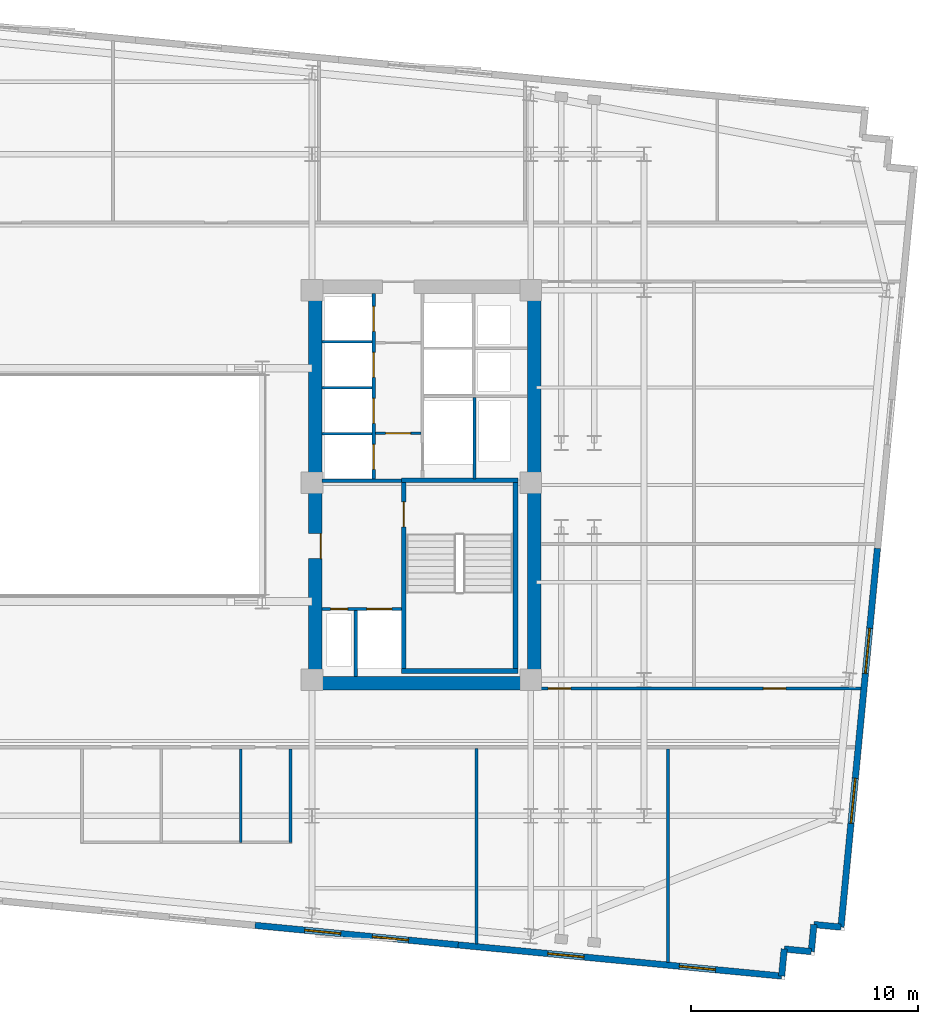
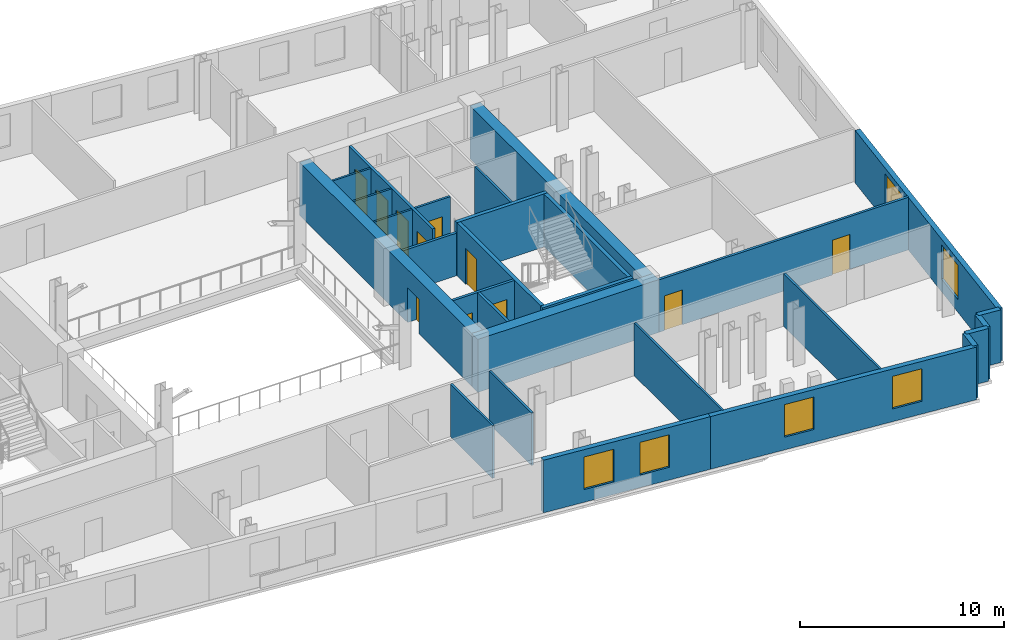
# One storey, part 5 of 9: 28 walls, 11 doors, 6 windows, 17 openings.
"""IFC4 building model written with IfcOpenShell, lengths in metres."""

from ifc_helpers import new_model, si_unit, direction, frame, frame_2d, origin, place, context, subcontext, project, spatial, rectangle, extrude, material, layer, layer_set, type_object, element, fill, save


model = new_model("IFC4")

# Units and contexts
model_context = context("Model", 3, precision=1e-05, world=origin(), true_north=direction((0.0, 1.0)))
body_context = subcontext(model_context, "Body", "Model", "MODEL_VIEW")
ifc_project = project(units=[si_unit("LENGTHUNIT", "METRE"), si_unit("AREAUNIT", "SQUARE_METRE"), si_unit("VOLUMEUNIT", "CUBIC_METRE"), si_unit("PLANEANGLEUNIT", "RADIAN"), si_unit("MASSUNIT", "GRAM", prefix="KILO")], contexts=[model_context])

# Site, building, storey
site_placement = place(None, origin())
site = spatial("IfcSite", under=ifc_project, at=site_placement, CompositionType="ELEMENT")
building_placement = place(site_placement, origin())
building = spatial("IfcBuilding", under=site, at=building_placement, Name="Velakula Bourse", CompositionType="ELEMENT")
storey_placement = place(building_placement, frame((0.0, 0.0, 191.449951171875)))
storey = spatial("IfcBuildingStorey", under=building, at=storey_placement, Name="L52", CompositionType="ELEMENT", Elevation=191.449951171875)

# Wall, opening, door
ifc_material_1 = material(Name="Concrete M50 (fck 50 MPa)", Category="concrete")
ifc_layer_1 = layer(ifc_material_1, 0.2099609375, Name="Concrete M50 (fck 50 MPa)", Category="concrete")
ifc_layer_set_1 = layer_set([ifc_layer_1], Name="Concrete M50 (fck 50 MPa)")
wall_type_1 = type_object("IfcWallType", Name="WL-CORE-210", PredefinedType="SHEAR", material=ifc_layer_set_1)
wall_1_placement = place(storey_placement, frame((12.9951171875, -8.10009765625, 0.0), z_axis=(0.0, 0.0, 1.0), x_axis=(0.0, 1.0, 0.0)))
wall_1 = element("IfcWall", 1, at=wall_1_placement, inside=storey, type_object=wall_type_1, Name="L52 Core E Stairwell Shear Wall IN", PredefinedType="SHEAR", context=body_context, shape_type="SweptSolid", body=[
    extrude(rectangle(XDim=8.2001953125, YDim=0.2099609375, at=frame_2d((4.10009765625, 0.0))), origin(), (0.0, 0.0, 1.0), 3.170166015625),
])
opening_1_placement = place(wall_1_placement, frame((6.25, 0.0, 0.0)))
opening_1 = element("IfcOpeningElement", 2, at=opening_1_placement, cuts=wall_1, Name="Opening D-STE1", PredefinedType="OPENING", context=body_context, shape_type="SweptSolid", body=[
    extrude(rectangle(XDim=1.10009765625, YDim=2.14990234375, at=frame_2d((0.550048828125, 1.074951171875))), frame((0.0, 0.114990234375, 0.0), z_axis=(0.0, -1.0, 0.0), x_axis=(1.0, 0.0, 0.0)), (0.0, 0.0, 1.0), 0.22998046875),
])
ifc_material_2 = material(Name="Galvanised painted hollow steel fire door", Category="steel")
door_type_1 = type_object("IfcDoorType", Name="DR-FD120-1100x2150", OperationType="NOTDEFINED", PredefinedType="DOOR", material=ifc_material_2)
door_1_placement = place(opening_1_placement, origin())
door_1 = element("IfcDoor", 3, at=door_1_placement, inside=storey, type_object=door_type_1, Name="L52 Stair ST-E1 Fire Door", OperationType="SINGLE_SWING_RIGHT", OverallHeight=2.14990234375, OverallWidth=1.10009765625, PredefinedType="DOOR", context=body_context, shape_type="SweptSolid", body=[
    extrude(rectangle(XDim=1.10009765625, YDim=2.14990234375, at=frame_2d((0.550048828125, 1.074951171875))), frame((0.0, 0.02490234375, 0.0), z_axis=(0.0, -1.0, 0.0), x_axis=(1.0, 0.0, 0.0)), (0.0, 0.0, 1.0), 0.050048828125),
])
fill(opening_1, door_1)

# Walls
wall_2_placement = place(storey_placement, frame((17.925048828125, -8.10009765625, 0.0), z_axis=(0.0, 0.0, 1.0), x_axis=(0.0, 1.0, 0.0)))
element("IfcWall", 4, at=wall_2_placement, inside=storey, type_object=wall_type_1, Name="L52 Core E Stairwell Shear Wall OUT", PredefinedType="SHEAR", context=body_context, shape_type="SweptSolid", body=[
    extrude(rectangle(XDim=8.2001953125, YDim=0.2099609375, at=frame_2d((4.10009765625, 0.0))), origin(), (0.0, 0.0, 1.0), 3.170166015625),
])
for number, where, z_axis, x_axis, name in (
    (5, (12.889892578125, -8.205078125, 0.0), (0.0, 0.0, 1.0), (1.0, 0.0, 0.0), "L52 Core E Stairwell Shear Wall S"),
    (6, (18.030029296875, 0.205078125, 0.0), (0.0, 0.0, 1.0), (-1.0, 0.0, 0.0), "L52 Core E Stairwell Shear Wall N"),
):
    element("IfcWall", number, at=place(storey_placement, frame(where, z_axis=z_axis, x_axis=x_axis)), inside=storey, type_object=wall_type_1, Name=name, PredefinedType="SHEAR", context=body_context, shape_type="SweptSolid", body=[
        extrude(rectangle(XDim=5.14013671875, YDim=0.2099609375, at=frame_2d((2.570068359375, 0.0))), origin(), (0.0, 0.0, 1.0), 3.170166015625),
    ])
ifc_material_3 = material(Name="Concrete M70 (fck 70 MPa)", Category="concrete")
ifc_layer_2 = layer(ifc_material_3, 0.60009765625, Name="Concrete M70 (fck 70 MPa)", Category="concrete")
ifc_layer_set_2 = layer_set([ifc_layer_2], Name="Concrete M70 (fck 70 MPa)")
wall_type_2 = type_object("IfcWallType", Name="WL-CORE-600", PredefinedType="SHEAR", material=ifc_layer_set_2)
wall_3_placement = place(storey_placement, frame((8.800048828125, -8.75, 0.0), z_axis=(0.0, 0.0, 1.0), x_axis=(1.0, 0.0, 0.0)))
element("IfcWall", 7, at=wall_3_placement, inside=storey, type_object=wall_type_2, Name="L52 Core E Shear Wall S", PredefinedType="SHEAR", context=body_context, shape_type="SweptSolid", body=[
    extrude(rectangle(XDim=10.25, YDim=0.60009765625, at=frame_2d((5.125, 0.0))), origin(), (0.0, 0.0, 1.0), 3.170166015625),
])

# Wall, opening, door
wall_4_placement = place(storey_placement, frame((9.10009765625, -8.449951171875, 0.0), z_axis=(0.0, 0.0, 1.0), x_axis=(0.0, 1.0, 0.0)))
wall_4 = element("IfcWall", 8, at=wall_4_placement, inside=storey, type_object=wall_type_2, Name="L52 Core E Shear Wall W", PredefinedType="SHEAR", context=body_context, shape_type="SweptSolid", body=[
    extrude(rectangle(XDim=16.89990234375, YDim=0.60009765625, at=frame_2d((8.449951171875, 0.0))), origin(), (0.0, 0.0, 1.0), 3.170166015625),
])
opening_2_placement = place(wall_4_placement, frame((5.199951171875, 0.0, 0.0)))
opening_2 = element("IfcOpeningElement", 9, at=opening_2_placement, cuts=wall_4, Name="Opening D-FLE", PredefinedType="OPENING", context=body_context, shape_type="SweptSolid", body=[
    extrude(rectangle(XDim=1.10009765625, YDim=2.080078125, at=frame_2d((0.550048828125, 1.0400390625))), frame((0.0, 0.31005859375, 0.0), z_axis=(0.0, -1.0, 0.0), x_axis=(1.0, 0.0, 0.0)), (0.0, 0.0, 1.0), 0.6201171875),
])
door_type_2 = type_object("IfcDoorType", Name="DR-FD120-1100", OperationType="NOTDEFINED", PredefinedType="DOOR", material=ifc_material_2)
door_2_placement = place(opening_2_placement, origin())
door_2 = element("IfcDoor", 10, at=door_2_placement, inside=storey, type_object=door_type_2, Name="L52 Firefighting Lobby E Corridor Fire Door", OperationType="SINGLE_SWING_RIGHT", OverallHeight=2.080078125, OverallWidth=1.10009765625, PredefinedType="DOOR", context=body_context, shape_type="SweptSolid", body=[
    extrude(rectangle(XDim=1.10009765625, YDim=2.080078125, at=frame_2d((0.550048828125, 1.0400390625))), frame((0.0, -0.205078125, 0.0), z_axis=(0.0, -1.0, 0.0), x_axis=(1.0, 0.0, 0.0)), (0.0, 0.0, 1.0), 0.050048828125),
])
fill(opening_2, door_2)

# Wall
wall_5_placement = place(storey_placement, frame((18.75, -8.449951171875, 0.0), z_axis=(0.0, 0.0, 1.0), x_axis=(0.0, 1.0, 0.0)))
element("IfcWall", 11, at=wall_5_placement, inside=storey, type_object=wall_type_2, Name="L52 Core E Shear Wall E", PredefinedType="SHEAR", context=body_context, shape_type="SweptSolid", body=[
    extrude(rectangle(XDim=16.89990234375, YDim=0.60009765625, at=frame_2d((8.449951171875, 0.0))), origin(), (0.0, 0.0, 1.0), 3.170166015625),
])

# Wall, openings, windows
ifc_material_4 = material(Name="Red kilned clay facing brick masonry", Category="masonry")
ifc_layer_3 = layer(ifc_material_4, 0.280029296875, Name="Red kilned clay facing brick masonry", Category="masonry")
ifc_layer_set_3 = layer_set([ifc_layer_3], Name="Red kilned clay facing brick masonry")
wall_type_3 = type_object("IfcWallType", Name="WL-EXT-BRK-280", PredefinedType="STANDARD", material=ifc_layer_set_3)
wall_6_placement = place(storey_placement, frame((15.398681640625, -20.295654296875, 0.0), z_axis=(0.0, 0.0, 1.0), x_axis=(-0.995394455533, 0.09586385082, 0.0)))
wall_6 = element("IfcWall", 12, at=wall_6_placement, inside=storey, type_object=wall_type_3, Name="L52 S Brick Spandrel Wall B4", PredefinedType="STANDARD", context=body_context, shape_type="SweptSolid", body=[
    extrude(rectangle(XDim=9.000244140625, YDim=0.280029296875, at=frame_2d((4.5, 0.0))), origin(), (0.0, 0.0, 1.0), 3.150146484375),
])
opening_3_placement = place(wall_6_placement, frame((2.199951171875, 0.0, 0.760009765625)))
opening_3 = element("IfcOpeningElement", 13, at=opening_3_placement, cuts=wall_6, Name="Opening W-02", PredefinedType="OPENING", context=body_context, shape_type="SweptSolid", body=[
    extrude(rectangle(XDim=1.60009765625, YDim=1.949951171875, at=frame_2d((0.800048828125, 0.97509765625))), frame((0.0, 0.14990234375, 0.0), z_axis=(0.0, -1.0, 0.0), x_axis=(1.0, 0.0, 0.0)), (0.0, 0.0, 1.0), 0.300048828125),
])
opening_4_placement = place(wall_6_placement, frame((5.199951171875, 0.0, 0.760009765625)))
opening_4 = element("IfcOpeningElement", 14, at=opening_4_placement, cuts=wall_6, Name="Opening W-02", PredefinedType="OPENING", context=body_context, shape_type="SweptSolid", body=[
    extrude(rectangle(XDim=1.60009765625, YDim=1.949951171875, at=frame_2d((0.800048828125, 0.97509765625))), frame((0.0, 0.14990234375, 0.0), z_axis=(0.0, -1.0, 0.0), x_axis=(1.0, 0.0, 0.0)), (0.0, 0.0, 1.0), 0.300048828125),
])
ifc_material_5 = material(Name="Double-glazed solar-control Low-E glass", Category="glass")
window_type_1 = type_object("IfcWindowType", Name="WIN-TWR-1600x2100", PartitioningType="SINGLE_PANEL", PredefinedType="WINDOW", material=ifc_material_5)
window_1_placement = place(opening_3_placement, origin())
window_1 = element("IfcWindow", 15, at=window_1_placement, inside=storey, type_object=window_type_1, Name="L52 Deep-Set Recessed Window 1", OverallHeight=1.949951171875, OverallWidth=1.60009765625, PartitioningType="SINGLE_PANEL", PredefinedType="WINDOW", context=body_context, shape_type="SweptSolid", body=[
    extrude(rectangle(XDim=1.60009765625, YDim=1.949951171875, at=frame_2d((0.800048828125, 0.97509765625))), frame((0.0, 0.030029296875, 0.0), z_axis=(0.0, -1.0, 0.0), x_axis=(1.0, 0.0, 0.0)), (0.0, 0.0, 1.0), 0.06005859375),
])
fill(opening_3, window_1)
window_2_placement = place(opening_4_placement, origin())
window_2 = element("IfcWindow", 16, at=window_2_placement, inside=storey, type_object=window_type_1, Name="L52 Deep-Set Recessed Window 2", OverallHeight=1.949951171875, OverallWidth=1.60009765625, PartitioningType="SINGLE_PANEL", PredefinedType="WINDOW", context=body_context, shape_type="SweptSolid", body=[
    extrude(rectangle(XDim=1.60009765625, YDim=1.949951171875, at=frame_2d((0.800048828125, 0.97509765625))), frame((0.0, 0.030029296875, 0.0), z_axis=(0.0, -1.0, 0.0), x_axis=(1.0, 0.0, 0.0)), (0.0, 0.0, 1.0), 0.06005859375),
])
fill(opening_4, window_2)

wall_7_placement = place(storey_placement, frame((29.672607421875, -21.669921875, 0.0), z_axis=(0.0, 0.0, 1.0), x_axis=(-0.995397230529, 0.095835032509, 0.0)))
wall_7 = element("IfcWall", 17, at=wall_7_placement, inside=storey, type_object=wall_type_3, Name="L52 S Brick Spandrel Wall B5", PredefinedType="STANDARD", context=body_context, shape_type="SweptSolid", body=[
    extrude(rectangle(XDim=14.33984375, YDim=0.280029296875, at=frame_2d((7.169921875, 0.0))), origin(), (0.0, 0.0, 1.0), 3.150146484375),
])
opening_5_placement = place(wall_7_placement, frame((2.929931640625, 0.0, 0.760009765625)))
opening_5 = element("IfcOpeningElement", 18, at=opening_5_placement, cuts=wall_7, Name="Opening W-02", PredefinedType="OPENING", context=body_context, shape_type="SweptSolid", body=[
    extrude(rectangle(XDim=1.60009765625, YDim=1.949951171875, at=frame_2d((0.800048828125, 0.97509765625))), frame((0.0, 0.14990234375, 0.0), z_axis=(0.0, -1.0, 0.0), x_axis=(1.0, 0.0, 0.0)), (0.0, 0.0, 1.0), 0.300048828125),
])
opening_6_placement = place(wall_7_placement, frame((8.760009765625, 0.0, 0.760009765625)))
opening_6 = element("IfcOpeningElement", 19, at=opening_6_placement, cuts=wall_7, Name="Opening W-02", PredefinedType="OPENING", context=body_context, shape_type="SweptSolid", body=[
    extrude(rectangle(XDim=1.60009765625, YDim=1.949951171875, at=frame_2d((0.800048828125, 0.97509765625))), frame((0.0, 0.14990234375, 0.0), z_axis=(0.0, -1.0, 0.0), x_axis=(1.0, 0.0, 0.0)), (0.0, 0.0, 1.0), 0.300048828125),
])
window_3_placement = place(opening_5_placement, origin())
window_3 = element("IfcWindow", 20, at=window_3_placement, inside=storey, type_object=window_type_1, Name="L52 Deep-Set Recessed Window 1", OverallHeight=1.949951171875, OverallWidth=1.60009765625, PartitioningType="SINGLE_PANEL", PredefinedType="WINDOW", context=body_context, shape_type="SweptSolid", body=[
    extrude(rectangle(XDim=1.60009765625, YDim=1.949951171875, at=frame_2d((0.800048828125, 0.97509765625))), frame((0.0, 0.030029296875, 0.0), z_axis=(0.0, -1.0, 0.0), x_axis=(1.0, 0.0, 0.0)), (0.0, 0.0, 1.0), 0.06005859375),
])
fill(opening_5, window_3)
window_4_placement = place(opening_6_placement, origin())
window_4 = element("IfcWindow", 21, at=window_4_placement, inside=storey, type_object=window_type_1, Name="L52 Deep-Set Recessed Window 2", OverallHeight=1.949951171875, OverallWidth=1.60009765625, PartitioningType="SINGLE_PANEL", PredefinedType="WINDOW", context=body_context, shape_type="SweptSolid", body=[
    extrude(rectangle(XDim=1.60009765625, YDim=1.949951171875, at=frame_2d((0.800048828125, 0.97509765625))), frame((0.0, 0.030029296875, 0.0), z_axis=(0.0, -1.0, 0.0), x_axis=(1.0, 0.0, 0.0)), (0.0, 0.0, 1.0), 0.06005859375),
])
fill(opening_6, window_4)

wall_8_placement = place(storey_placement, frame((33.90087890625, -2.79833984375, 0.0), z_axis=(0.0, 0.0, 1.0), x_axis=(-0.095853434568, -0.99539545864, 0.0)))
wall_8 = element("IfcWall", 22, at=wall_8_placement, inside=storey, type_object=wall_type_3, Name="L52 E Brick End Wall W1", PredefinedType="STANDARD", context=body_context, shape_type="SweptSolid", body=[
    extrude(rectangle(XDim=16.7900390625, YDim=0.280029296875, at=frame_2d((8.39501953125, 0.0))), origin(), (0.0, 0.0, 1.0), 3.150146484375),
])
opening_7_placement = place(wall_8_placement, frame((3.546630859375, 0.0, 0.760009765625)))
opening_7 = element("IfcOpeningElement", 23, at=opening_7_placement, cuts=wall_8, Name="Opening W-05", PredefinedType="OPENING", context=body_context, shape_type="SweptSolid", body=[
    extrude(rectangle(XDim=2.0, YDim=2.050048828125, at=frame_2d((1.0, 1.02490234375))), frame((0.0, 0.14990234375, 0.0), z_axis=(0.0, -1.0, 0.0), x_axis=(1.0, 0.0, 0.0)), (0.0, 0.0, 1.0), 0.300048828125),
])
opening_8_placement = place(wall_8_placement, frame((10.193359375, 0.0, 0.760009765625)))
opening_8 = element("IfcOpeningElement", 24, at=opening_8_placement, cuts=wall_8, Name="Opening W-05", PredefinedType="OPENING", context=body_context, shape_type="SweptSolid", body=[
    extrude(rectangle(XDim=2.0, YDim=2.050048828125, at=frame_2d((1.0, 1.02490234375))), frame((0.0, 0.14990234375, 0.0), z_axis=(0.0, -1.0, 0.0), x_axis=(1.0, 0.0, 0.0)), (0.0, 0.0, 1.0), 0.300048828125),
])
window_type_2 = type_object("IfcWindowType", Name="WIN-TWR-2000x2200", PartitioningType="DOUBLE_PANEL_VERTICAL", PredefinedType="WINDOW", material=ifc_material_5)
window_5_placement = place(opening_7_placement, origin())
window_5 = element("IfcWindow", 25, at=window_5_placement, inside=storey, type_object=window_type_2, Name="L52 Deep-Set Recessed Window 1", OverallHeight=2.050048828125, OverallWidth=2.0, PartitioningType="DOUBLE_PANEL_VERTICAL", PredefinedType="WINDOW", context=body_context, shape_type="SweptSolid", body=[
    extrude(rectangle(XDim=2.0, YDim=2.050048828125, at=frame_2d((1.0, 1.02490234375))), frame((0.0, 0.030029296875, 0.0), z_axis=(0.0, -1.0, 0.0), x_axis=(1.0, 0.0, 0.0)), (0.0, 0.0, 1.0), 0.06005859375),
])
fill(opening_7, window_5)
window_6_placement = place(opening_8_placement, origin())
window_6 = element("IfcWindow", 26, at=window_6_placement, inside=storey, type_object=window_type_2, Name="L52 Deep-Set Recessed Window 2", OverallHeight=2.050048828125, OverallWidth=2.0, PartitioningType="DOUBLE_PANEL_VERTICAL", PredefinedType="WINDOW", context=body_context, shape_type="SweptSolid", body=[
    extrude(rectangle(XDim=2.0, YDim=2.050048828125, at=frame_2d((1.0, 1.02490234375))), frame((0.0, 0.030029296875, 0.0), z_axis=(0.0, -1.0, 0.0), x_axis=(1.0, 0.0, 0.0)), (0.0, 0.0, 1.0), 0.06005859375),
])
fill(opening_8, window_6)

# Walls
for number, where, z_axis, x_axis, name in (
    (27, (29.672607421875, -21.669921875, 0.0), (0.0, 0.0, 1.0), (0.095836473879, 0.995397091755, 0.0), "L52 Serrated Corner Brick Wall SE-1"),
    (28, (29.78759765625, -20.4755859375, 0.0), (0.0, 0.0, 1.0), (0.995397091755, -0.095836473879, 0.0), "L52 Serrated Corner Brick Wall SE-2"),
):
    element("IfcWall", number, at=place(storey_placement, frame(where, z_axis=z_axis, x_axis=x_axis)), inside=storey, type_object=wall_type_3, Name=name, PredefinedType="STANDARD", context=body_context, shape_type="SweptSolid", body=[
        extrude(rectangle(XDim=1.199951171875, YDim=0.280029296875, at=frame_2d((0.60009765625, 0.0))), origin(), (0.0, 0.0, 1.0), 3.150146484375),
    ])
wall_9_placement = place(storey_placement, frame((30.98193359375, -20.590576171875, 0.0), z_axis=(0.0, 0.0, 1.0), x_axis=(0.096018626938, 0.995379537303, 0.0)))
element("IfcWall", 29, at=wall_9_placement, inside=storey, type_object=wall_type_3, Name="L52 Serrated Corner Brick Wall SE-3", PredefinedType="STANDARD", context=body_context, shape_type="SweptSolid", body=[
    extrude(rectangle(XDim=1.2001953125, YDim=0.280029296875, at=frame_2d((0.60009765625, 0.0))), origin(), (0.0, 0.0, 1.0), 3.150146484375),
])
wall_10_placement = place(storey_placement, frame((31.09716796875, -19.39599609375, 0.0), z_axis=(0.0, 0.0, 1.0), x_axis=(0.995397091755, -0.095836473879, 0.0)))
element("IfcWall", 30, at=wall_10_placement, inside=storey, type_object=wall_type_3, Name="L52 Serrated Corner Brick Wall SE-4", PredefinedType="STANDARD", context=body_context, shape_type="SweptSolid", body=[
    extrude(rectangle(XDim=1.199951171875, YDim=0.280029296875, at=frame_2d((0.60009765625, 0.0))), origin(), (0.0, 0.0, 1.0), 3.150146484375),
])

# Wall, opening, door
ifc_material_6 = material(Name="Fire-rated double-layer gypsum drywall partition", Category="gypsum")
ifc_layer_4 = layer(ifc_material_6, 0.1201171875, Name="Fire-rated double-layer gypsum drywall partition", Category="gypsum")
ifc_layer_set_4 = layer_set([ifc_layer_4], Name="Fire-rated double-layer gypsum drywall partition")
wall_type_4 = type_object("IfcWallType", Name="WL-PART-120", PredefinedType="STANDARD", material=ifc_layer_set_4)
wall_11_placement = place(storey_placement, frame((11.75, 2.280029296875, 0.0), z_axis=(0.0, 0.0, 1.0), x_axis=(1.0, 0.0, 0.0)))
wall_11 = element("IfcWall", 31, at=wall_11_placement, inside=storey, type_object=wall_type_4, Name="L52 Interior Partition WL-CRE-L52-LL-K3A", PredefinedType="STANDARD", context=body_context, shape_type="SweptSolid", body=[
    extrude(rectangle(XDim=2.0, YDim=0.1201171875, at=frame_2d((1.0, 0.0))), origin(), (0.0, 0.0, 1.0), 3.150146484375),
])
opening_9_placement = place(wall_11_placement, frame((0.449951171875, 0.0, 0.0)))
opening_9 = element("IfcOpeningElement", 32, at=opening_9_placement, cuts=wall_11, Name="Opening D-LK3", PredefinedType="OPENING", context=body_context, shape_type="SweptSolid", body=[
    extrude(rectangle(XDim=1.10009765625, YDim=2.10009765625, at=frame_2d((0.550048828125, 1.050048828125))), frame((0.0, 0.070068359375, 0.0), z_axis=(0.0, -1.0, 0.0), x_axis=(1.0, 0.0, 0.0)), (0.0, 0.0, 1.0), 0.14013671875),
])
ifc_material_7 = material(Name="Fire-rated hardwood flush architectural door", Category="wood")
door_type_3 = type_object("IfcDoorType", Name="DR-FD60-1100x2100", OperationType="NOTDEFINED", PredefinedType="DOOR", material=ifc_material_7)
door_3_placement = place(opening_9_placement, origin())
door_3 = element("IfcDoor", 33, at=door_3_placement, inside=storey, type_object=door_type_3, Name="L52 Core E Lift Lobby Vestibule Door A", OperationType="SINGLE_SWING_LEFT", OverallHeight=2.10009765625, OverallWidth=1.10009765625, PredefinedType="DOOR", context=body_context, shape_type="SweptSolid", body=[
    extrude(rectangle(XDim=1.10009765625, YDim=2.10009765625, at=frame_2d((0.550048828125, 1.050048828125))), frame((0.0, 0.02490234375, 0.0), z_axis=(0.0, -1.0, 0.0), x_axis=(1.0, 0.0, 0.0)), (0.0, 0.0, 1.0), 0.050048828125),
])
fill(opening_9, door_3)

# Walls
for number, where, z_axis, x_axis, name in (
    (34, (9.39990234375, 2.2548828125, 0.0), (0.0, 0.0, 1.0), (1.0, 0.0, 0.0), "L52 Interior Partition WL-CRE-L52-BDIV-0"),
    (35, (9.39990234375, 4.284912109375, 0.0), (0.0, 0.0, 1.0), (1.0, 0.0, 0.0), "L52 Interior Partition WL-CRE-L52-BDIV-1"),
    (36, (9.39990234375, 6.31494140625, 0.0), (0.0, 0.0, 1.0), (1.0, 0.0, 0.0), "L52 Interior Partition WL-CRE-L52-BDIV-2"),
):
    element("IfcWall", number, at=place(storey_placement, frame(where, z_axis=z_axis, x_axis=x_axis)), inside=storey, type_object=wall_type_4, Name=name, PredefinedType="STANDARD", context=body_context, shape_type="SweptSolid", body=[
        extrude(rectangle(XDim=2.2001953125, YDim=0.110107421875, at=frame_2d((1.10009765625, 0.0))), origin(), (0.0, 0.0, 1.0), 3.150146484375),
    ])
wall_12_placement = place(storey_placement, frame((16.125, 0.27001953125, 0.0), z_axis=(0.0, 0.0, 1.0), x_axis=(0.0, 1.0, 0.0)))
element("IfcWall", 37, at=wall_12_placement, inside=storey, type_object=wall_type_4, Name="L52 Interior Partition WL-CRE-L52-SVL-E", PredefinedType="STANDARD", context=body_context, shape_type="SweptSolid", body=[
    extrude(rectangle(XDim=3.590087890625, YDim=0.1201171875, at=frame_2d((1.794921875, 0.0))), origin(), (0.0, 0.0, 1.0), 3.150146484375),
])
for number, where, z_axis, x_axis, name in (
    (38, (5.800048828125, -15.77001953125, 0.0), (0.0, 0.0, 1.0), (0.0, 1.0, 0.0), "L52 Interior Partition WL-WC-L52-V3"),
    (39, (8.0, -15.77001953125, 0.0), (0.0, 0.0, 1.0), (0.0, 1.0, 0.0), "L52 Interior Partition WL-WC-L52-V4"),
):
    element("IfcWall", number, at=place(storey_placement, frame(where, z_axis=z_axis, x_axis=x_axis)), inside=storey, type_object=wall_type_4, Name=name, PredefinedType="STANDARD", context=body_context, shape_type="SweptSolid", body=[
        extrude(rectangle(XDim=4.130126953125, YDim=0.1201171875, at=frame_2d((2.06494140625, 0.0))), origin(), (0.0, 0.0, 1.0), 3.150146484375),
    ])
wall_13_placement = place(storey_placement, frame((16.20703125, -20.2529296875, 0.0), z_axis=(0.0, 0.0, 1.0), x_axis=(0.0, 1.0, 0.0)))
element("IfcWall", 40, at=wall_13_placement, inside=storey, type_object=wall_type_4, Name="L52 Interior Partition WL-INT-L52-SR-D7", PredefinedType="STANDARD", context=body_context, shape_type="SweptSolid", body=[
    extrude(rectangle(XDim=8.613037109375, YDim=0.1201171875, at=frame_2d((4.306640625, 0.0))), origin(), (0.0, 0.0, 1.0), 3.150146484375),
])
wall_14_placement = place(storey_placement, frame((24.662109375, -21.06689453125, 0.0), z_axis=(0.0, 0.0, 1.0), x_axis=(0.0, 1.0, 0.0)))
element("IfcWall", 41, at=wall_14_placement, inside=storey, type_object=wall_type_4, Name="L52 Interior Partition WL-INT-L52-SR-D8", PredefinedType="STANDARD", context=body_context, shape_type="SweptSolid", body=[
    extrude(rectangle(XDim=9.427001953125, YDim=0.1201171875, at=frame_2d((4.71337890625, 0.0))), origin(), (0.0, 0.0, 1.0), 3.150146484375),
])

# Wall, openings, doors
ifc_layer_5 = layer(ifc_material_6, 0.139892578125, Name="Fire-rated double-layer gypsum drywall partition", Category="gypsum")
ifc_layer_set_5 = layer_set([ifc_layer_5], Name="Fire-rated double-layer gypsum drywall partition")
wall_type_5 = type_object("IfcWallType", Name="WL-PART-140", PredefinedType="STANDARD", material=ifc_layer_set_5)
wall_15_placement = place(storey_placement, frame((19.050048828125, -8.97998046875, 0.0), z_axis=(0.0, 0.0, 1.0), x_axis=(1.0, 0.0, 0.0)))
wall_15 = element("IfcWall", 42, at=wall_15_placement, inside=storey, type_object=wall_type_5, Name="L52 Interior Partition WL-INT-L52-E-SC", PredefinedType="STANDARD", context=body_context, shape_type="SweptSolid", body=[
    extrude(rectangle(XDim=14.135009765625, YDim=0.139892578125, at=frame_2d((7.0673828125, 0.0))), origin(), (0.0, 0.0, 1.0), 3.150146484375),
])
opening_10_placement = place(wall_15_placement, frame((0.320068359375, 0.0, 0.0)))
opening_10 = element("IfcOpeningElement", 43, at=opening_10_placement, cuts=wall_15, Name="Opening D-OF1", PredefinedType="OPENING", context=body_context, shape_type="SweptSolid", body=[
    extrude(rectangle(XDim=1.0, YDim=2.080078125, at=frame_2d((0.5, 1.0400390625))), frame((0.0, 0.079833984375, 0.0), z_axis=(0.0, -1.0, 0.0), x_axis=(1.0, 0.0, 0.0)), (0.0, 0.0, 1.0), 0.159912109375),
])
opening_11_placement = place(wall_15_placement, frame((9.8134765625, 0.0, 0.0)))
opening_11 = element("IfcOpeningElement", 44, at=opening_11_placement, cuts=wall_15, Name="Opening D-OF1", PredefinedType="OPENING", context=body_context, shape_type="SweptSolid", body=[
    extrude(rectangle(XDim=1.0, YDim=2.080078125, at=frame_2d((0.5, 1.0400390625))), frame((0.0, 0.079833984375, 0.0), z_axis=(0.0, -1.0, 0.0), x_axis=(1.0, 0.0, 0.0)), (0.0, 0.0, 1.0), 0.159912109375),
])
door_type_4 = type_object("IfcDoorType", Name="DR-OFF-1000", OperationType="NOTDEFINED", PredefinedType="DOOR", material=ifc_material_7)
door_4_placement = place(opening_10_placement, origin())
door_4 = element("IfcDoor", 45, at=door_4_placement, inside=storey, type_object=door_type_4, Name="L52 Compliance Review Office Door", OperationType="SINGLE_SWING_LEFT", OverallHeight=2.080078125, OverallWidth=1.0, PredefinedType="DOOR", context=body_context, shape_type="SweptSolid", body=[
    extrude(rectangle(XDim=1.0, YDim=2.080078125, at=frame_2d((0.5, 1.0400390625))), frame((0.0, 0.02490234375, 0.0), z_axis=(0.0, -1.0, 0.0), x_axis=(1.0, 0.0, 0.0)), (0.0, 0.0, 1.0), 0.050048828125),
])
fill(opening_10, door_4)
door_5_placement = place(opening_11_placement, origin())
door_5 = element("IfcDoor", 46, at=door_5_placement, inside=storey, type_object=door_type_4, Name="L52 Peer Review Boardroom Door", OperationType="SINGLE_SWING_RIGHT", OverallHeight=2.080078125, OverallWidth=1.0, PredefinedType="DOOR", context=body_context, shape_type="SweptSolid", body=[
    extrude(rectangle(XDim=1.0, YDim=2.080078125, at=frame_2d((0.5, 1.0400390625))), frame((0.0, 0.02490234375, 0.0), z_axis=(0.0, -1.0, 0.0), x_axis=(1.0, 0.0, 0.0)), (0.0, 0.0, 1.0), 0.050048828125),
])
fill(opening_11, door_5)

ifc_material_8 = material(Name="Autoclaved aerated concrete blockwork masonry", Category="masonry")
ifc_layer_6 = layer(ifc_material_8, 0.14990234375, Name="Autoclaved aerated concrete blockwork masonry", Category="masonry")
ifc_layer_set_6 = layer_set([ifc_layer_6], Name="Autoclaved aerated concrete blockwork masonry")
wall_type_6 = type_object("IfcWallType", Name="WL-SHAFT-150", PredefinedType="STANDARD", material=ifc_layer_set_6)
wall_16_placement = place(storey_placement, frame((9.39990234375, -5.47509765625, 0.0), z_axis=(0.0, 0.0, 1.0), x_axis=(1.0, 0.0, 0.0)))
wall_16 = element("IfcWall", 47, at=wall_16_placement, inside=storey, type_object=wall_type_6, Name="L52 Interior Partition WL-CRE-L52-FFL-N", PredefinedType="STANDARD", context=body_context, shape_type="SweptSolid", body=[
    extrude(rectangle(XDim=3.4951171875, YDim=0.14990234375, at=frame_2d((1.74755859375, 0.0))), origin(), (0.0, 0.0, 1.0), 3.150146484375),
])
opening_12_placement = place(wall_16_placement, frame((1.97509765625, 0.0, 0.0)))
opening_12 = element("IfcOpeningElement", 48, at=opening_12_placement, cuts=wall_16, Name="Opening LD-FFL-2", PredefinedType="OPENING", context=body_context, shape_type="SweptSolid", body=[
    extrude(rectangle(XDim=1.10009765625, YDim=2.14990234375, at=frame_2d((0.550048828125, 1.074951171875))), frame((0.0, 0.0849609375, 0.0), z_axis=(0.0, -1.0, 0.0), x_axis=(1.0, 0.0, 0.0)), (0.0, 0.0, 1.0), 0.169921875),
])
opening_13_placement = place(wall_16_placement, frame((0.375, 0.0, 0.0)))
opening_13 = element("IfcOpeningElement", 49, at=opening_13_placement, cuts=wall_16, Name="Opening D-RS1", PredefinedType="OPENING", context=body_context, shape_type="SweptSolid", body=[
    extrude(rectangle(XDim=0.75, YDim=2.050048828125, at=frame_2d((0.375, 1.02490234375))), frame((0.0, 0.0849609375, 0.0), z_axis=(0.0, -1.0, 0.0), x_axis=(1.0, 0.0, 0.0)), (0.0, 0.0, 1.0), 0.169921875),
])
door_type_5 = type_object("IfcDoorType", Name="DR-RISER-800", OperationType="NOTDEFINED", PredefinedType="DOOR", material=ifc_material_2)
door_6_placement = place(opening_13_placement, origin())
door_6 = element("IfcDoor", 50, at=door_6_placement, inside=storey, type_object=door_type_5, Name="L52 Fire Riser Access Door", OperationType="SINGLE_SWING_LEFT", OverallHeight=2.050048828125, OverallWidth=0.75, PredefinedType="DOOR", context=body_context, shape_type="SweptSolid", body=[
    extrude(rectangle(XDim=0.75, YDim=2.050048828125, at=frame_2d((0.375, 1.02490234375))), frame((0.0, 0.02490234375, 0.0), z_axis=(0.0, -1.0, 0.0), x_axis=(1.0, 0.0, 0.0)), (0.0, 0.0, 1.0), 0.050048828125),
])
fill(opening_13, door_6)
ifc_material_9 = material(Name="Brushed grade 316 stainless steel", Category="steel")
door_type_6 = type_object("IfcDoorType", Name="DR-SLIDE-FFL-1100", OperationType="DOUBLE_DOOR_SLIDING", PredefinedType="DOOR", material=ifc_material_9)
door_7_placement = place(opening_12_placement, origin())
door_7 = element("IfcDoor", 51, at=door_7_placement, inside=storey, type_object=door_type_6, Name="L52 Firefighting Lift FFL-2 Sliding Landing Door", OperationType="DOUBLE_DOOR_SLIDING", OverallHeight=2.14990234375, OverallWidth=1.10009765625, PredefinedType="DOOR", context=body_context, shape_type="SweptSolid", body=[
    extrude(rectangle(XDim=1.10009765625, YDim=2.14990234375, at=frame_2d((0.550048828125, 1.074951171875))), frame((0.0, 0.02490234375, 0.0), z_axis=(0.0, -1.0, 0.0), x_axis=(1.0, 0.0, 0.0)), (0.0, 0.0, 1.0), 0.050048828125),
])
fill(opening_12, door_7)

# Walls
wall_17_placement = place(storey_placement, frame((10.875, -8.449951171875, 0.0), z_axis=(0.0, 0.0, 1.0), x_axis=(0.0, 1.0, 0.0)))
element("IfcWall", 52, at=wall_17_placement, inside=storey, type_object=wall_type_6, Name="L52 Interior Partition WL-CRE-L52-FR-DIV", PredefinedType="STANDARD", context=body_context, shape_type="SweptSolid", body=[
    extrude(rectangle(XDim=2.89990234375, YDim=0.14990234375, at=frame_2d((1.449951171875, 0.0))), origin(), (0.0, 0.0, 1.0), 3.150146484375),
])
wall_18_placement = place(storey_placement, frame((9.39990234375, 0.18994140625, 0.0), z_axis=(0.0, 0.0, 1.0), x_axis=(1.0, 0.0, 0.0)))
element("IfcWall", 53, at=wall_18_placement, inside=storey, type_object=wall_type_6, Name="L52 Interior Partition WL-CRE-L52-FF-TOP", PredefinedType="STANDARD", context=body_context, shape_type="SweptSolid", body=[
    extrude(rectangle(XDim=3.489990234375, YDim=0.14990234375, at=frame_2d((1.7451171875, 0.0))), origin(), (0.0, 0.0, 1.0), 2.545166015625),
])

# Wall, openings, doors
wall_19_placement = place(storey_placement, frame((11.675048828125, 0.27001953125, 0.0), z_axis=(0.0, 0.0, 1.0), x_axis=(0.0, 1.0, 0.0)))
wall_19 = element("IfcWall", 54, at=wall_19_placement, inside=storey, type_object=wall_type_6, Name="L52 Interior Partition WL-CRE-L52-BANK-F", PredefinedType="STANDARD", context=body_context, shape_type="SweptSolid", body=[
    extrude(rectangle(XDim=8.179931640625, YDim=0.14990234375, at=frame_2d((4.08984375, 0.0))), origin(), (0.0, 0.0, 1.0), 3.150146484375),
])
opening_14_placement = place(wall_19_placement, frame((0.419921875, 0.0, 0.0)))
opening_14 = element("IfcOpeningElement", 55, at=opening_14_placement, cuts=wall_19, Name="Opening LD-P5", PredefinedType="OPENING", context=body_context, shape_type="SweptSolid", body=[
    extrude(rectangle(XDim=1.10009765625, YDim=2.10009765625, at=frame_2d((0.550048828125, 1.050048828125))), frame((0.0, 0.0849609375, 0.0), z_axis=(0.0, -1.0, 0.0), x_axis=(1.0, 0.0, 0.0)), (0.0, 0.0, 1.0), 0.169921875),
])
opening_15_placement = place(wall_19_placement, frame((2.449951171875, 0.0, 0.0)))
opening_15 = element("IfcOpeningElement", 56, at=opening_15_placement, cuts=wall_19, Name="Opening LD-P6", PredefinedType="OPENING", context=body_context, shape_type="SweptSolid", body=[
    extrude(rectangle(XDim=1.10009765625, YDim=2.10009765625, at=frame_2d((0.550048828125, 1.050048828125))), frame((0.0, 0.0849609375, 0.0), z_axis=(0.0, -1.0, 0.0), x_axis=(1.0, 0.0, 0.0)), (0.0, 0.0, 1.0), 0.169921875),
])
opening_16_placement = place(wall_19_placement, frame((4.47998046875, 0.0, 0.0)))
opening_16 = element("IfcOpeningElement", 57, at=opening_16_placement, cuts=wall_19, Name="Opening LD-P7", PredefinedType="OPENING", context=body_context, shape_type="SweptSolid", body=[
    extrude(rectangle(XDim=1.10009765625, YDim=2.10009765625, at=frame_2d((0.550048828125, 1.050048828125))), frame((0.0, 0.0849609375, 0.0), z_axis=(0.0, -1.0, 0.0), x_axis=(1.0, 0.0, 0.0)), (0.0, 0.0, 1.0), 0.169921875),
])
opening_17_placement = place(wall_19_placement, frame((6.510009765625, 0.0, 0.0)))
opening_17 = element("IfcOpeningElement", 58, at=opening_17_placement, cuts=wall_19, Name="Opening LD-P8", PredefinedType="OPENING", context=body_context, shape_type="SweptSolid", body=[
    extrude(rectangle(XDim=1.10009765625, YDim=2.10009765625, at=frame_2d((0.550048828125, 1.050048828125))), frame((0.0, 0.0849609375, 0.0), z_axis=(0.0, -1.0, 0.0), x_axis=(1.0, 0.0, 0.0)), (0.0, 0.0, 1.0), 0.169921875),
])
door_type_7 = type_object("IfcDoorType", Name="DR-SLIDE-LD-1100", OperationType="DOUBLE_DOOR_SLIDING", PredefinedType="DOOR", material=ifc_material_9)
door_8_placement = place(opening_14_placement, origin())
door_8 = element("IfcDoor", 59, at=door_8_placement, inside=storey, type_object=door_type_7, Name="L52 Passenger Lift P5 Sliding Landing Door", OperationType="DOUBLE_DOOR_SLIDING", OverallHeight=2.10009765625, OverallWidth=1.10009765625, PredefinedType="DOOR", context=body_context, shape_type="SweptSolid", body=[
    extrude(rectangle(XDim=1.10009765625, YDim=2.10009765625, at=frame_2d((0.550048828125, 1.050048828125))), frame((0.0, 0.02490234375, 0.0), z_axis=(0.0, -1.0, 0.0), x_axis=(1.0, 0.0, 0.0)), (0.0, 0.0, 1.0), 0.050048828125),
])
fill(opening_14, door_8)
door_9_placement = place(opening_15_placement, origin())
door_9 = element("IfcDoor", 60, at=door_9_placement, inside=storey, type_object=door_type_7, Name="L52 Passenger Lift P6 Sliding Landing Door", OperationType="DOUBLE_DOOR_SLIDING", OverallHeight=2.10009765625, OverallWidth=1.10009765625, PredefinedType="DOOR", context=body_context, shape_type="SweptSolid", body=[
    extrude(rectangle(XDim=1.10009765625, YDim=2.10009765625, at=frame_2d((0.550048828125, 1.050048828125))), frame((0.0, 0.02490234375, 0.0), z_axis=(0.0, -1.0, 0.0), x_axis=(1.0, 0.0, 0.0)), (0.0, 0.0, 1.0), 0.050048828125),
])
fill(opening_15, door_9)
door_10_placement = place(opening_16_placement, origin())
door_10 = element("IfcDoor", 61, at=door_10_placement, inside=storey, type_object=door_type_7, Name="L52 Passenger Lift P7 Sliding Landing Door", OperationType="DOUBLE_DOOR_SLIDING", OverallHeight=2.10009765625, OverallWidth=1.10009765625, PredefinedType="DOOR", context=body_context, shape_type="SweptSolid", body=[
    extrude(rectangle(XDim=1.10009765625, YDim=2.10009765625, at=frame_2d((0.550048828125, 1.050048828125))), frame((0.0, 0.02490234375, 0.0), z_axis=(0.0, -1.0, 0.0), x_axis=(1.0, 0.0, 0.0)), (0.0, 0.0, 1.0), 0.050048828125),
])
fill(opening_16, door_10)
door_11_placement = place(opening_17_placement, origin())
door_11 = element("IfcDoor", 62, at=door_11_placement, inside=storey, type_object=door_type_7, Name="L52 Passenger Lift P8 Sliding Landing Door", OperationType="DOUBLE_DOOR_SLIDING", OverallHeight=2.10009765625, OverallWidth=1.10009765625, PredefinedType="DOOR", context=body_context, shape_type="SweptSolid", body=[
    extrude(rectangle(XDim=1.10009765625, YDim=2.10009765625, at=frame_2d((0.550048828125, 1.050048828125))), frame((0.0, 0.02490234375, 0.0), z_axis=(0.0, -1.0, 0.0), x_axis=(1.0, 0.0, 0.0)), (0.0, 0.0, 1.0), 0.050048828125),
])
fill(opening_17, door_11)

save(model, "model.ifc")
